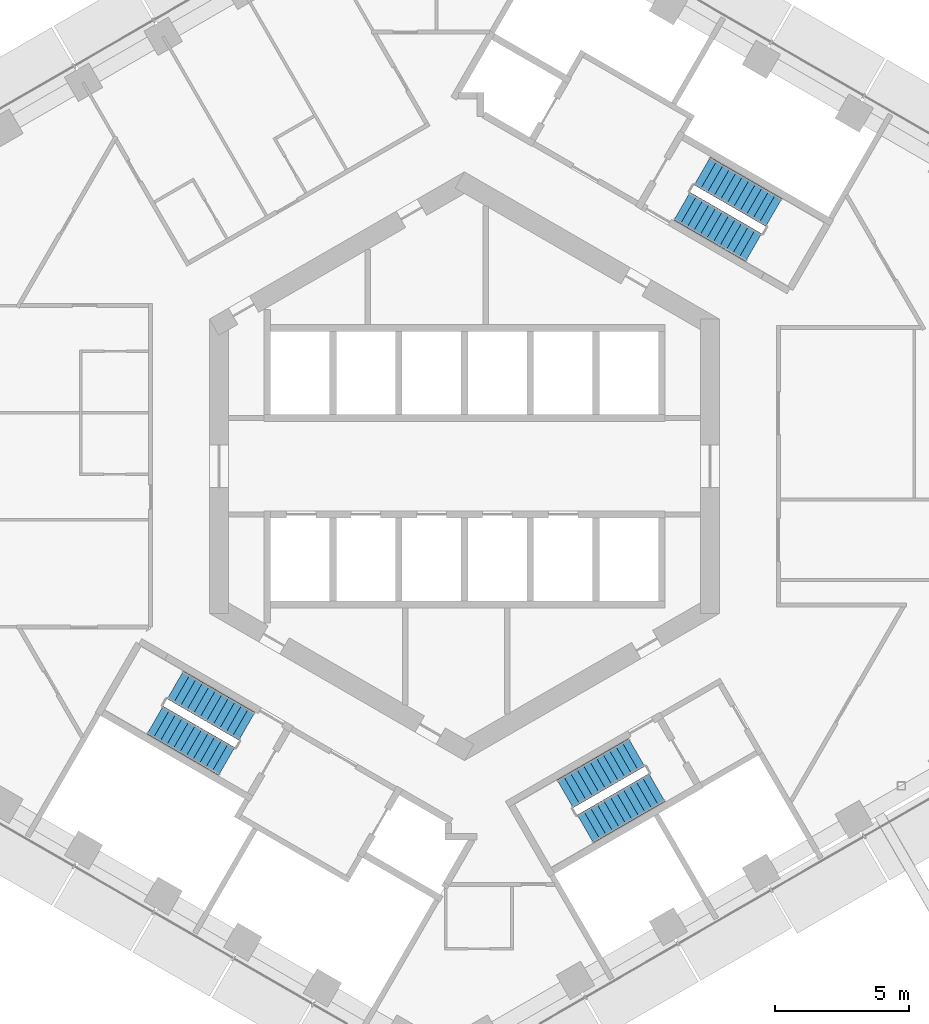
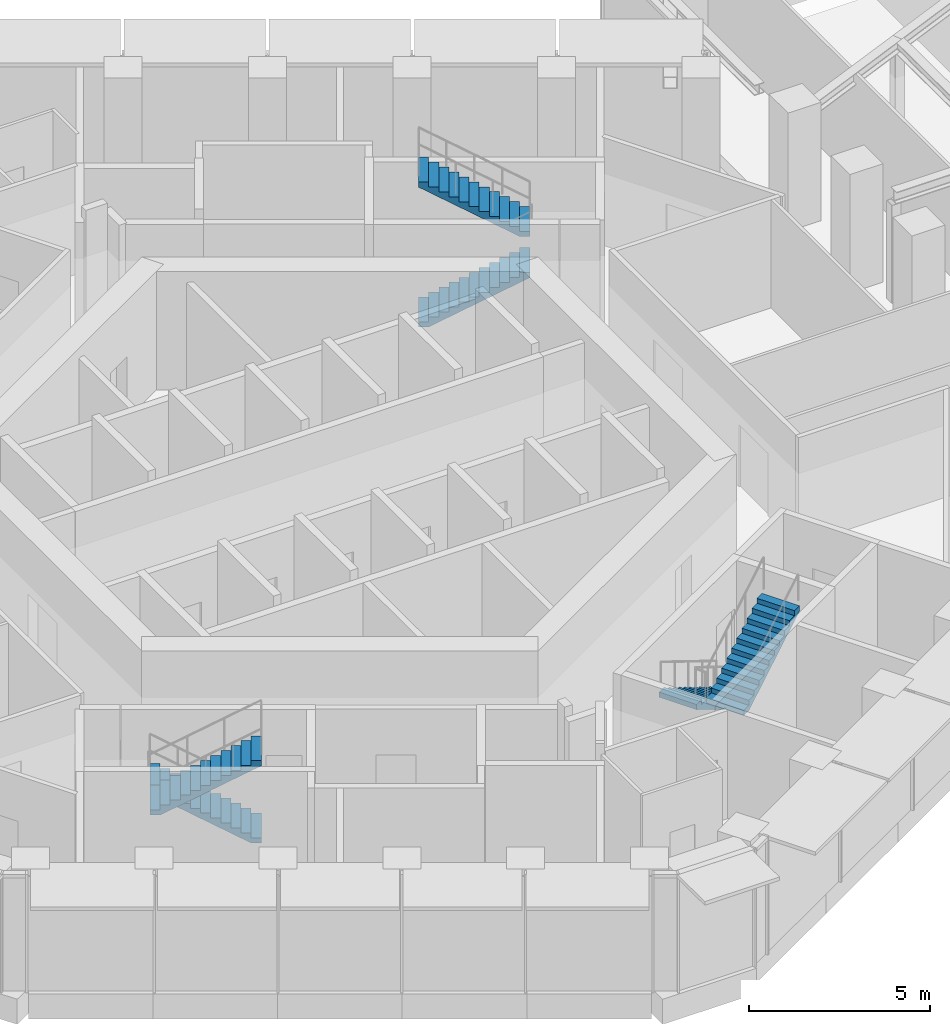
# One storey, part 22 of 24: 6 stair flights, 3 elements without a shape of their own.
"""IFC4 building model written with IfcOpenShell, lengths in metres."""

from ifc_helpers import new_model, si_unit, direction, frame, origin, place, context, subcontext, project, spatial, triangles, material, type_object, element, aggregate, save


model = new_model("IFC4")

# Units and contexts
model_context = context("Model", 3, precision=1e-05, world=origin(), true_north=direction((0.0, 1.0)))
body_context = subcontext(model_context, "Body", "Model", "MODEL_VIEW")
ifc_project = project(units=[si_unit("LENGTHUNIT", "METRE"), si_unit("AREAUNIT", "SQUARE_METRE"), si_unit("VOLUMEUNIT", "CUBIC_METRE"), si_unit("PLANEANGLEUNIT", "RADIAN"), si_unit("MASSUNIT", "GRAM", prefix="KILO")], contexts=[model_context])

# Site, building, storey
site_placement = place(None, origin())
site = spatial("IfcSite", under=ifc_project, at=site_placement, CompositionType="ELEMENT")
building_placement = place(site_placement, origin())
building = spatial("IfcBuilding", under=site, at=building_placement, Name="Ayvan Gate Tower", CompositionType="ELEMENT")
storey_placement = place(building_placement, frame((0.0, 0.0, 128.5)))
storey = spatial("IfcBuildingStorey", under=building, at=storey_placement, Name="L34", CompositionType="ELEMENT", Elevation=128.5)

# Stair, stair flights
ifc_material = material(Name="Concrete C40/50", Category="concrete")
stair_type = type_object("IfcStairType", Name="ST-EXIT", PredefinedType="HALF_TURN_STAIR", material=ifc_material)
stair_1_placement = place(storey_placement, origin())
stair_1 = element("IfcStair", 1, at=stair_1_placement, inside=storey, type_object=stair_type, Name="L34 Exit Stair S1", PredefinedType="HALF_TURN_STAIR")
stair_flight_type = type_object("IfcStairFlightType", Name="SFL-EXIT", PredefinedType="STRAIGHT", material=ifc_material)
stair_flight_1_placement = place(storey_placement, frame((8.106201171875, 9.690185546875, 0.0), z_axis=(0.0, 0.0, 1.0), x_axis=(0.866025403784, -0.5, 0.0)))
stair_flight_1 = element("IfcStairFlight", 2, at=stair_flight_1_placement, type_object=stair_flight_type, Name="STS1 flight 1", NumberOfRisers=12, NumberOfTreads=11, PredefinedType="STRAIGHT", RiserHeight=0.166666667, TreadLength=0.28, context=body_context, shape_type="Tessellation", body=[
    triangles([(0.293073, -0.599976, 0.0), (3.0805, -0.599976, 1.659182), (3.0805, -0.599976, 1.833333), (2.8, -0.599976, 1.833333), (2.8, -0.599976, 1.666667), (2.52, -0.599976, 1.666667), (2.52, -0.599976, 1.5), (2.24, -0.599976, 1.5), (2.24, -0.599976, 1.333333), (1.96, -0.599976, 1.333333), (1.96, -0.599976, 1.166667), (1.68, -0.599976, 1.166667), (1.68, -0.599976, 1.0), (1.4, -0.599976, 1.0), (1.4, -0.599976, 0.833333), (1.12, -0.599976, 0.833333), (1.12, -0.599976, 0.666667), (0.84, -0.599976, 0.666667), (0.84, -0.599976, 0.5), (0.56, -0.599976, 0.5), (0.56, -0.599976, 0.333333), (0.28, -0.599976, 0.333333), (0.28, -0.599976, 0.166667), (-0.0005, -0.599976, 0.166667), (-0.0005, -0.599976, 0.0), (0.293073, 0.0, 0.0), (3.0805, 0.0, 1.659182), (3.0805, 0.0, 1.833333), (2.8, 0.0, 1.833333), (2.8, 0.0, 1.666667), (2.52, 0.0, 1.666667), (2.52, 0.0, 1.5), (2.24, 0.0, 1.5), (2.24, 0.0, 1.333333), (1.96, 0.0, 1.333333), (1.96, 0.0, 1.166667), (1.68, 0.0, 1.166667), (1.68, 0.0, 1.0), (1.4, 0.0, 1.0), (1.4, 0.0, 0.833333), (1.12, 0.0, 0.833333), (1.12, 0.0, 0.666667), (0.84, 0.0, 0.666667), (0.84, 0.0, 0.5), (0.56, 0.0, 0.5), (0.56, 0.0, 0.333333), (0.28, 0.0, 0.333333), (0.28, 0.0, 0.166667), (-0.0005, 0.0, 0.166667), (-0.0005, 0.0, 0.0), (0.293073, 0.599976, 0.0), (3.0805, 0.599976, 1.659182), (3.0805, 0.599976, 1.833333), (2.8, 0.599976, 1.833333), (2.8, 0.599976, 1.666667), (2.52, 0.599976, 1.666667), (2.52, 0.599976, 1.5), (2.24, 0.599976, 1.5), (2.24, 0.599976, 1.333333), (1.96, 0.599976, 1.333333), (1.96, 0.599976, 1.166667), (1.68, 0.599976, 1.166667), (1.68, 0.599976, 1.0), (1.4, 0.599976, 1.0), (1.4, 0.599976, 0.833333), (1.12, 0.599976, 0.833333), (1.12, 0.599976, 0.666667), (0.84, 0.599976, 0.666667), (0.84, 0.599976, 0.5), (0.56, 0.599976, 0.5), (0.56, 0.599976, 0.333333), (0.28, 0.599976, 0.333333), (0.28, 0.599976, 0.166667), (-0.0005, 0.599976, 0.166667), (-0.0005, 0.599976, 0.0)], [[25, 1, 2], [75, 52, 51], [2, 3, 4], [52, 54, 53], [2, 4, 5], [52, 55, 54], [2, 5, 6], [52, 56, 55], [2, 6, 7], [52, 57, 56], [7, 8, 9], [57, 59, 58], [2, 7, 9], [52, 59, 57], [9, 10, 11], [59, 61, 60], [2, 9, 11], [52, 61, 59], [11, 12, 13], [61, 63, 62], [2, 11, 13], [52, 63, 61], [13, 14, 15], [63, 65, 64], [2, 13, 15], [52, 65, 63], [15, 16, 17], [65, 67, 66], [2, 15, 17], [52, 67, 65], [17, 18, 19], [67, 69, 68], [2, 17, 19], [52, 69, 67], [19, 20, 21], [69, 71, 70], [2, 19, 21], [52, 71, 69], [21, 22, 23], [71, 73, 72], [2, 21, 23], [52, 73, 71], [25, 2, 23], [75, 73, 52], [23, 24, 25], [73, 75, 74], [1, 26, 27], [1, 27, 2], [51, 27, 26], [51, 52, 27], [2, 27, 28], [2, 28, 3], [52, 28, 27], [52, 53, 28], [3, 28, 29], [3, 29, 4], [53, 29, 28], [53, 54, 29], [4, 29, 30], [4, 30, 5], [54, 30, 29], [54, 55, 30], [5, 30, 31], [5, 31, 6], [55, 31, 30], [55, 56, 31], [6, 31, 32], [6, 32, 7], [56, 32, 31], [56, 57, 32], [7, 32, 33], [7, 33, 8], [57, 33, 32], [57, 58, 33], [8, 33, 34], [8, 34, 9], [58, 34, 33], [58, 59, 34], [9, 34, 35], [9, 35, 10], [59, 35, 34], [59, 60, 35], [10, 35, 36], [10, 36, 11], [60, 36, 35], [60, 61, 36], [11, 36, 37], [11, 37, 12], [61, 37, 36], [61, 62, 37], [12, 37, 38], [12, 38, 13], [62, 38, 37], [62, 63, 38], [13, 38, 39], [13, 39, 14], [63, 39, 38], [63, 64, 39], [14, 39, 40], [14, 40, 15], [64, 40, 39], [64, 65, 40], [15, 40, 41], [15, 41, 16], [65, 41, 40], [65, 66, 41], [16, 41, 42], [16, 42, 17], [66, 42, 41], [66, 67, 42], [17, 42, 43], [17, 43, 18], [67, 43, 42], [67, 68, 43], [18, 43, 44], [18, 44, 19], [68, 44, 43], [68, 69, 44], [19, 44, 45], [19, 45, 20], [69, 45, 44], [69, 70, 45], [20, 45, 46], [20, 46, 21], [70, 46, 45], [70, 71, 46], [21, 46, 47], [21, 47, 22], [71, 47, 46], [71, 72, 47], [22, 47, 48], [22, 48, 23], [72, 48, 47], [72, 73, 48], [23, 48, 49], [23, 49, 24], [73, 49, 48], [73, 74, 49], [24, 49, 50], [24, 50, 25], [74, 50, 49], [74, 75, 50], [25, 50, 26], [25, 26, 1], [75, 26, 50], [75, 51, 26]], closed=True),
])
stair_flight_2_placement = place(storey_placement, frame((11.528564453125, 9.457763671875, 2.0), z_axis=(0.0, 0.0, 1.0), x_axis=(-0.866025403784, 0.5, 0.0)))
stair_flight_2 = element("IfcStairFlight", 3, at=stair_flight_2_placement, type_object=stair_flight_type, Name="STS1 flight 2", NumberOfRisers=12, NumberOfTreads=11, PredefinedType="STRAIGHT", RiserHeight=0.166666667, TreadLength=0.28, context=body_context, shape_type="Tessellation", body=[
    triangles([(0.293073, -0.599976, 0.0), (3.0805, -0.599976, 1.659182), (3.0805, -0.599976, 1.833333), (2.8, -0.599976, 1.833333), (2.8, -0.599976, 1.666667), (2.52, -0.599976, 1.666667), (2.52, -0.599976, 1.5), (2.24, -0.599976, 1.5), (2.24, -0.599976, 1.333333), (1.96, -0.599976, 1.333333), (1.96, -0.599976, 1.166667), (1.68, -0.599976, 1.166667), (1.68, -0.599976, 1.0), (1.4, -0.599976, 1.0), (1.4, -0.599976, 0.833333), (1.12, -0.599976, 0.833333), (1.12, -0.599976, 0.666667), (0.84, -0.599976, 0.666667), (0.84, -0.599976, 0.5), (0.56, -0.599976, 0.5), (0.56, -0.599976, 0.333333), (0.28, -0.599976, 0.333333), (0.28, -0.599976, 0.166667), (-0.0005, -0.599976, 0.166667), (-0.0005, -0.599976, 0.0), (0.293073, 0.0, 0.0), (3.0805, 0.0, 1.659182), (3.0805, 0.0, 1.833333), (2.8, 0.0, 1.833333), (2.8, 0.0, 1.666667), (2.52, 0.0, 1.666667), (2.52, 0.0, 1.5), (2.24, 0.0, 1.5), (2.24, 0.0, 1.333333), (1.96, 0.0, 1.333333), (1.96, 0.0, 1.166667), (1.68, 0.0, 1.166667), (1.68, 0.0, 1.0), (1.4, 0.0, 1.0), (1.4, 0.0, 0.833333), (1.12, 0.0, 0.833333), (1.12, 0.0, 0.666667), (0.84, 0.0, 0.666667), (0.84, 0.0, 0.5), (0.56, 0.0, 0.5), (0.56, 0.0, 0.333333), (0.28, 0.0, 0.333333), (0.28, 0.0, 0.166667), (-0.0005, 0.0, 0.166667), (-0.0005, 0.0, 0.0), (0.293073, 0.599976, 0.0), (3.0805, 0.599976, 1.659182), (3.0805, 0.599976, 1.833333), (2.8, 0.599976, 1.833333), (2.8, 0.599976, 1.666667), (2.52, 0.599976, 1.666667), (2.52, 0.599976, 1.5), (2.24, 0.599976, 1.5), (2.24, 0.599976, 1.333333), (1.96, 0.599976, 1.333333), (1.96, 0.599976, 1.166667), (1.68, 0.599976, 1.166667), (1.68, 0.599976, 1.0), (1.4, 0.599976, 1.0), (1.4, 0.599976, 0.833333), (1.12, 0.599976, 0.833333), (1.12, 0.599976, 0.666667), (0.84, 0.599976, 0.666667), (0.84, 0.599976, 0.5), (0.56, 0.599976, 0.5), (0.56, 0.599976, 0.333333), (0.28, 0.599976, 0.333333), (0.28, 0.599976, 0.166667), (-0.0005, 0.599976, 0.166667), (-0.0005, 0.599976, 0.0)], [[25, 1, 2], [75, 52, 51], [2, 3, 4], [52, 54, 53], [2, 4, 5], [52, 55, 54], [2, 5, 6], [52, 56, 55], [2, 6, 7], [52, 57, 56], [7, 8, 9], [57, 59, 58], [2, 7, 9], [52, 59, 57], [9, 10, 11], [59, 61, 60], [2, 9, 11], [52, 61, 59], [11, 12, 13], [61, 63, 62], [2, 11, 13], [52, 63, 61], [13, 14, 15], [63, 65, 64], [2, 13, 15], [52, 65, 63], [15, 16, 17], [65, 67, 66], [2, 15, 17], [52, 67, 65], [17, 18, 19], [67, 69, 68], [2, 17, 19], [52, 69, 67], [19, 20, 21], [69, 71, 70], [2, 19, 21], [52, 71, 69], [21, 22, 23], [71, 73, 72], [2, 21, 23], [52, 73, 71], [25, 2, 23], [75, 73, 52], [23, 24, 25], [73, 75, 74], [1, 26, 27], [1, 27, 2], [51, 27, 26], [51, 52, 27], [2, 27, 28], [2, 28, 3], [52, 28, 27], [52, 53, 28], [3, 28, 29], [3, 29, 4], [53, 29, 28], [53, 54, 29], [4, 29, 30], [4, 30, 5], [54, 30, 29], [54, 55, 30], [5, 30, 31], [5, 31, 6], [55, 31, 30], [55, 56, 31], [6, 31, 32], [6, 32, 7], [56, 32, 31], [56, 57, 32], [7, 32, 33], [7, 33, 8], [57, 33, 32], [57, 58, 33], [8, 33, 34], [8, 34, 9], [58, 34, 33], [58, 59, 34], [9, 34, 35], [9, 35, 10], [59, 35, 34], [59, 60, 35], [10, 35, 36], [10, 36, 11], [60, 36, 35], [60, 61, 36], [11, 36, 37], [11, 37, 12], [61, 37, 36], [61, 62, 37], [12, 37, 38], [12, 38, 13], [62, 38, 37], [62, 63, 38], [13, 38, 39], [13, 39, 14], [63, 39, 38], [63, 64, 39], [14, 39, 40], [14, 40, 15], [64, 40, 39], [64, 65, 40], [15, 40, 41], [15, 41, 16], [65, 41, 40], [65, 66, 41], [16, 41, 42], [16, 42, 17], [66, 42, 41], [66, 67, 42], [17, 42, 43], [17, 43, 18], [67, 43, 42], [67, 68, 43], [18, 43, 44], [18, 44, 19], [68, 44, 43], [68, 69, 44], [19, 44, 45], [19, 45, 20], [69, 45, 44], [69, 70, 45], [20, 45, 46], [20, 46, 21], [70, 46, 45], [70, 71, 46], [21, 46, 47], [21, 47, 22], [71, 47, 46], [71, 72, 47], [22, 47, 48], [22, 48, 23], [72, 48, 47], [72, 73, 48], [23, 48, 49], [23, 49, 24], [73, 49, 48], [73, 74, 49], [24, 49, 50], [24, 50, 25], [74, 50, 49], [74, 75, 50], [25, 50, 26], [25, 26, 1], [75, 26, 50], [75, 51, 26]], closed=True),
])
aggregate(stair_1, [stair_flight_1, stair_flight_2])

stair_2_placement = place(storey_placement, origin())
stair_2 = element("IfcStair", 4, at=stair_2_placement, inside=storey, type_object=stair_type, Name="L34 Exit Stair S2", PredefinedType="HALF_TURN_STAIR")
stair_flight_3_placement = place(storey_placement, frame((-8.106201171875, -9.690185546875, 0.0), z_axis=(0.0, 0.0, 1.0), x_axis=(-0.866025403784, 0.5, 0.0)))
stair_flight_3 = element("IfcStairFlight", 5, at=stair_flight_3_placement, type_object=stair_flight_type, Name="STS2 flight 1", NumberOfRisers=12, NumberOfTreads=11, PredefinedType="STRAIGHT", RiserHeight=0.166666667, TreadLength=0.28, context=body_context, shape_type="Tessellation", body=[
    triangles([(0.293073, -0.599976, 0.0), (3.0805, -0.599976, 1.659182), (3.0805, -0.599976, 1.833333), (2.8, -0.599976, 1.833333), (2.8, -0.599976, 1.666667), (2.52, -0.599976, 1.666667), (2.52, -0.599976, 1.5), (2.24, -0.599976, 1.5), (2.24, -0.599976, 1.333333), (1.96, -0.599976, 1.333333), (1.96, -0.599976, 1.166667), (1.68, -0.599976, 1.166667), (1.68, -0.599976, 1.0), (1.4, -0.599976, 1.0), (1.4, -0.599976, 0.833333), (1.12, -0.599976, 0.833333), (1.12, -0.599976, 0.666667), (0.84, -0.599976, 0.666667), (0.84, -0.599976, 0.5), (0.56, -0.599976, 0.5), (0.56, -0.599976, 0.333333), (0.28, -0.599976, 0.333333), (0.28, -0.599976, 0.166667), (-0.0005, -0.599976, 0.166667), (-0.0005, -0.599976, 0.0), (0.293073, 0.0, 0.0), (3.0805, 0.0, 1.659182), (3.0805, 0.0, 1.833333), (2.8, 0.0, 1.833333), (2.8, 0.0, 1.666667), (2.52, 0.0, 1.666667), (2.52, 0.0, 1.5), (2.24, 0.0, 1.5), (2.24, 0.0, 1.333333), (1.96, 0.0, 1.333333), (1.96, 0.0, 1.166667), (1.68, 0.0, 1.166667), (1.68, 0.0, 1.0), (1.4, 0.0, 1.0), (1.4, 0.0, 0.833333), (1.12, 0.0, 0.833333), (1.12, 0.0, 0.666667), (0.84, 0.0, 0.666667), (0.84, 0.0, 0.5), (0.56, 0.0, 0.5), (0.56, 0.0, 0.333333), (0.28, 0.0, 0.333333), (0.28, 0.0, 0.166667), (-0.0005, 0.0, 0.166667), (-0.0005, 0.0, 0.0), (0.293073, 0.599976, 0.0), (3.0805, 0.599976, 1.659182), (3.0805, 0.599976, 1.833333), (2.8, 0.599976, 1.833333), (2.8, 0.599976, 1.666667), (2.52, 0.599976, 1.666667), (2.52, 0.599976, 1.5), (2.24, 0.599976, 1.5), (2.24, 0.599976, 1.333333), (1.96, 0.599976, 1.333333), (1.96, 0.599976, 1.166667), (1.68, 0.599976, 1.166667), (1.68, 0.599976, 1.0), (1.4, 0.599976, 1.0), (1.4, 0.599976, 0.833333), (1.12, 0.599976, 0.833333), (1.12, 0.599976, 0.666667), (0.84, 0.599976, 0.666667), (0.84, 0.599976, 0.5), (0.56, 0.599976, 0.5), (0.56, 0.599976, 0.333333), (0.28, 0.599976, 0.333333), (0.28, 0.599976, 0.166667), (-0.0005, 0.599976, 0.166667), (-0.0005, 0.599976, 0.0)], [[25, 1, 2], [75, 52, 51], [2, 3, 4], [52, 54, 53], [2, 4, 5], [52, 55, 54], [2, 5, 6], [52, 56, 55], [2, 6, 7], [52, 57, 56], [7, 8, 9], [57, 59, 58], [2, 7, 9], [52, 59, 57], [9, 10, 11], [59, 61, 60], [2, 9, 11], [52, 61, 59], [11, 12, 13], [61, 63, 62], [2, 11, 13], [52, 63, 61], [13, 14, 15], [63, 65, 64], [2, 13, 15], [52, 65, 63], [15, 16, 17], [65, 67, 66], [2, 15, 17], [52, 67, 65], [17, 18, 19], [67, 69, 68], [2, 17, 19], [52, 69, 67], [19, 20, 21], [69, 71, 70], [2, 19, 21], [52, 71, 69], [21, 22, 23], [71, 73, 72], [2, 21, 23], [52, 73, 71], [25, 2, 23], [75, 73, 52], [23, 24, 25], [73, 75, 74], [1, 26, 27], [1, 27, 2], [51, 27, 26], [51, 52, 27], [2, 27, 28], [2, 28, 3], [52, 28, 27], [52, 53, 28], [3, 28, 29], [3, 29, 4], [53, 29, 28], [53, 54, 29], [4, 29, 30], [4, 30, 5], [54, 30, 29], [54, 55, 30], [5, 30, 31], [5, 31, 6], [55, 31, 30], [55, 56, 31], [6, 31, 32], [6, 32, 7], [56, 32, 31], [56, 57, 32], [7, 32, 33], [7, 33, 8], [57, 33, 32], [57, 58, 33], [8, 33, 34], [8, 34, 9], [58, 34, 33], [58, 59, 34], [9, 34, 35], [9, 35, 10], [59, 35, 34], [59, 60, 35], [10, 35, 36], [10, 36, 11], [60, 36, 35], [60, 61, 36], [11, 36, 37], [11, 37, 12], [61, 37, 36], [61, 62, 37], [12, 37, 38], [12, 38, 13], [62, 38, 37], [62, 63, 38], [13, 38, 39], [13, 39, 14], [63, 39, 38], [63, 64, 39], [14, 39, 40], [14, 40, 15], [64, 40, 39], [64, 65, 40], [15, 40, 41], [15, 41, 16], [65, 41, 40], [65, 66, 41], [16, 41, 42], [16, 42, 17], [66, 42, 41], [66, 67, 42], [17, 42, 43], [17, 43, 18], [67, 43, 42], [67, 68, 43], [18, 43, 44], [18, 44, 19], [68, 44, 43], [68, 69, 44], [19, 44, 45], [19, 45, 20], [69, 45, 44], [69, 70, 45], [20, 45, 46], [20, 46, 21], [70, 46, 45], [70, 71, 46], [21, 46, 47], [21, 47, 22], [71, 47, 46], [71, 72, 47], [22, 47, 48], [22, 48, 23], [72, 48, 47], [72, 73, 48], [23, 48, 49], [23, 49, 24], [73, 49, 48], [73, 74, 49], [24, 49, 50], [24, 50, 25], [74, 50, 49], [74, 75, 50], [25, 50, 26], [25, 26, 1], [75, 26, 50], [75, 51, 26]], closed=True),
])
stair_flight_4_placement = place(storey_placement, frame((-11.528564453125, -9.457763671875, 2.0), z_axis=(0.0, 0.0, 1.0), x_axis=(0.866025403784, -0.5, 0.0)))
stair_flight_4 = element("IfcStairFlight", 6, at=stair_flight_4_placement, type_object=stair_flight_type, Name="STS2 flight 2", NumberOfRisers=12, NumberOfTreads=11, PredefinedType="STRAIGHT", RiserHeight=0.166666667, TreadLength=0.28, context=body_context, shape_type="Tessellation", body=[
    triangles([(0.293073, -0.599976, 0.0), (3.0805, -0.599976, 1.659182), (3.0805, -0.599976, 1.833333), (2.8, -0.599976, 1.833333), (2.8, -0.599976, 1.666667), (2.52, -0.599976, 1.666667), (2.52, -0.599976, 1.5), (2.24, -0.599976, 1.5), (2.24, -0.599976, 1.333333), (1.96, -0.599976, 1.333333), (1.96, -0.599976, 1.166667), (1.68, -0.599976, 1.166667), (1.68, -0.599976, 1.0), (1.4, -0.599976, 1.0), (1.4, -0.599976, 0.833333), (1.12, -0.599976, 0.833333), (1.12, -0.599976, 0.666667), (0.84, -0.599976, 0.666667), (0.84, -0.599976, 0.5), (0.56, -0.599976, 0.5), (0.56, -0.599976, 0.333333), (0.28, -0.599976, 0.333333), (0.28, -0.599976, 0.166667), (-0.0005, -0.599976, 0.166667), (-0.0005, -0.599976, 0.0), (0.293073, 0.0, 0.0), (3.0805, 0.0, 1.659182), (3.0805, 0.0, 1.833333), (2.8, 0.0, 1.833333), (2.8, 0.0, 1.666667), (2.52, 0.0, 1.666667), (2.52, 0.0, 1.5), (2.24, 0.0, 1.5), (2.24, 0.0, 1.333333), (1.96, 0.0, 1.333333), (1.96, 0.0, 1.166667), (1.68, 0.0, 1.166667), (1.68, 0.0, 1.0), (1.4, 0.0, 1.0), (1.4, 0.0, 0.833333), (1.12, 0.0, 0.833333), (1.12, 0.0, 0.666667), (0.84, 0.0, 0.666667), (0.84, 0.0, 0.5), (0.56, 0.0, 0.5), (0.56, 0.0, 0.333333), (0.28, 0.0, 0.333333), (0.28, 0.0, 0.166667), (-0.0005, 0.0, 0.166667), (-0.0005, 0.0, 0.0), (0.293073, 0.599976, 0.0), (3.0805, 0.599976, 1.659182), (3.0805, 0.599976, 1.833333), (2.8, 0.599976, 1.833333), (2.8, 0.599976, 1.666667), (2.52, 0.599976, 1.666667), (2.52, 0.599976, 1.5), (2.24, 0.599976, 1.5), (2.24, 0.599976, 1.333333), (1.96, 0.599976, 1.333333), (1.96, 0.599976, 1.166667), (1.68, 0.599976, 1.166667), (1.68, 0.599976, 1.0), (1.4, 0.599976, 1.0), (1.4, 0.599976, 0.833333), (1.12, 0.599976, 0.833333), (1.12, 0.599976, 0.666667), (0.84, 0.599976, 0.666667), (0.84, 0.599976, 0.5), (0.56, 0.599976, 0.5), (0.56, 0.599976, 0.333333), (0.28, 0.599976, 0.333333), (0.28, 0.599976, 0.166667), (-0.0005, 0.599976, 0.166667), (-0.0005, 0.599976, 0.0)], [[25, 1, 2], [75, 52, 51], [2, 3, 4], [52, 54, 53], [2, 4, 5], [52, 55, 54], [2, 5, 6], [52, 56, 55], [2, 6, 7], [52, 57, 56], [7, 8, 9], [57, 59, 58], [2, 7, 9], [52, 59, 57], [9, 10, 11], [59, 61, 60], [2, 9, 11], [52, 61, 59], [11, 12, 13], [61, 63, 62], [2, 11, 13], [52, 63, 61], [13, 14, 15], [63, 65, 64], [2, 13, 15], [52, 65, 63], [15, 16, 17], [65, 67, 66], [2, 15, 17], [52, 67, 65], [17, 18, 19], [67, 69, 68], [2, 17, 19], [52, 69, 67], [19, 20, 21], [69, 71, 70], [2, 19, 21], [52, 71, 69], [21, 22, 23], [71, 73, 72], [2, 21, 23], [52, 73, 71], [25, 2, 23], [75, 73, 52], [23, 24, 25], [73, 75, 74], [1, 26, 27], [1, 27, 2], [51, 27, 26], [51, 52, 27], [2, 27, 28], [2, 28, 3], [52, 28, 27], [52, 53, 28], [3, 28, 29], [3, 29, 4], [53, 29, 28], [53, 54, 29], [4, 29, 30], [4, 30, 5], [54, 30, 29], [54, 55, 30], [5, 30, 31], [5, 31, 6], [55, 31, 30], [55, 56, 31], [6, 31, 32], [6, 32, 7], [56, 32, 31], [56, 57, 32], [7, 32, 33], [7, 33, 8], [57, 33, 32], [57, 58, 33], [8, 33, 34], [8, 34, 9], [58, 34, 33], [58, 59, 34], [9, 34, 35], [9, 35, 10], [59, 35, 34], [59, 60, 35], [10, 35, 36], [10, 36, 11], [60, 36, 35], [60, 61, 36], [11, 36, 37], [11, 37, 12], [61, 37, 36], [61, 62, 37], [12, 37, 38], [12, 38, 13], [62, 38, 37], [62, 63, 38], [13, 38, 39], [13, 39, 14], [63, 39, 38], [63, 64, 39], [14, 39, 40], [14, 40, 15], [64, 40, 39], [64, 65, 40], [15, 40, 41], [15, 41, 16], [65, 41, 40], [65, 66, 41], [16, 41, 42], [16, 42, 17], [66, 42, 41], [66, 67, 42], [17, 42, 43], [17, 43, 18], [67, 43, 42], [67, 68, 43], [18, 43, 44], [18, 44, 19], [68, 44, 43], [68, 69, 44], [19, 44, 45], [19, 45, 20], [69, 45, 44], [69, 70, 45], [20, 45, 46], [20, 46, 21], [70, 46, 45], [70, 71, 46], [21, 46, 47], [21, 47, 22], [71, 47, 46], [71, 72, 47], [22, 47, 48], [22, 48, 23], [72, 48, 47], [72, 73, 48], [23, 48, 49], [23, 49, 24], [73, 49, 48], [73, 74, 49], [24, 49, 50], [24, 50, 25], [74, 50, 49], [74, 75, 50], [25, 50, 26], [25, 26, 1], [75, 26, 50], [75, 51, 26]], closed=True),
])
aggregate(stair_2, [stair_flight_3, stair_flight_4])

stair_3_placement = place(storey_placement, origin())
stair_3 = element("IfcStair", 7, at=stair_3_placement, inside=storey, type_object=stair_type, Name="L34 Exit Stair S3", PredefinedType="HALF_TURN_STAIR")
stair_flight_5_placement = place(storey_placement, frame((6.417236328125, -10.665283203125, 0.0), z_axis=(0.0, 0.0, 1.0), x_axis=(-0.866025403784, -0.5, 0.0)))
stair_flight_5 = element("IfcStairFlight", 8, at=stair_flight_5_placement, type_object=stair_flight_type, Name="STS3 flight 1", NumberOfRisers=12, NumberOfTreads=11, PredefinedType="STRAIGHT", RiserHeight=0.166666667, TreadLength=0.28, context=body_context, shape_type="Tessellation", body=[
    triangles([(0.293073, -0.599976, 0.0), (3.0805, -0.599976, 1.659182), (3.0805, -0.599976, 1.833333), (2.8, -0.599976, 1.833333), (2.8, -0.599976, 1.666667), (2.52, -0.599976, 1.666667), (2.52, -0.599976, 1.5), (2.24, -0.599976, 1.5), (2.24, -0.599976, 1.333333), (1.96, -0.599976, 1.333333), (1.96, -0.599976, 1.166667), (1.68, -0.599976, 1.166667), (1.68, -0.599976, 1.0), (1.4, -0.599976, 1.0), (1.4, -0.599976, 0.833333), (1.12, -0.599976, 0.833333), (1.12, -0.599976, 0.666667), (0.84, -0.599976, 0.666667), (0.84, -0.599976, 0.5), (0.56, -0.599976, 0.5), (0.56, -0.599976, 0.333333), (0.28, -0.599976, 0.333333), (0.28, -0.599976, 0.166667), (-0.0005, -0.599976, 0.166667), (-0.0005, -0.599976, 0.0), (0.293073, 0.0, 0.0), (3.0805, 0.0, 1.659182), (3.0805, 0.0, 1.833333), (2.8, 0.0, 1.833333), (2.8, 0.0, 1.666667), (2.52, 0.0, 1.666667), (2.52, 0.0, 1.5), (2.24, 0.0, 1.5), (2.24, 0.0, 1.333333), (1.96, 0.0, 1.333333), (1.96, 0.0, 1.166667), (1.68, 0.0, 1.166667), (1.68, 0.0, 1.0), (1.4, 0.0, 1.0), (1.4, 0.0, 0.833333), (1.12, 0.0, 0.833333), (1.12, 0.0, 0.666667), (0.84, 0.0, 0.666667), (0.84, 0.0, 0.5), (0.56, 0.0, 0.5), (0.56, 0.0, 0.333333), (0.28, 0.0, 0.333333), (0.28, 0.0, 0.166667), (-0.0005, 0.0, 0.166667), (-0.0005, 0.0, 0.0), (0.293073, 0.599976, 0.0), (3.0805, 0.599976, 1.659182), (3.0805, 0.599976, 1.833333), (2.8, 0.599976, 1.833333), (2.8, 0.599976, 1.666667), (2.52, 0.599976, 1.666667), (2.52, 0.599976, 1.5), (2.24, 0.599976, 1.5), (2.24, 0.599976, 1.333333), (1.96, 0.599976, 1.333333), (1.96, 0.599976, 1.166667), (1.68, 0.599976, 1.166667), (1.68, 0.599976, 1.0), (1.4, 0.599976, 1.0), (1.4, 0.599976, 0.833333), (1.12, 0.599976, 0.833333), (1.12, 0.599976, 0.666667), (0.84, 0.599976, 0.666667), (0.84, 0.599976, 0.5), (0.56, 0.599976, 0.5), (0.56, 0.599976, 0.333333), (0.28, 0.599976, 0.333333), (0.28, 0.599976, 0.166667), (-0.0005, 0.599976, 0.166667), (-0.0005, 0.599976, 0.0)], [[25, 1, 2], [75, 52, 51], [2, 3, 4], [52, 54, 53], [2, 4, 5], [52, 55, 54], [2, 5, 6], [52, 56, 55], [2, 6, 7], [52, 57, 56], [7, 8, 9], [57, 59, 58], [2, 7, 9], [52, 59, 57], [9, 10, 11], [59, 61, 60], [2, 9, 11], [52, 61, 59], [11, 12, 13], [61, 63, 62], [2, 11, 13], [52, 63, 61], [13, 14, 15], [63, 65, 64], [2, 13, 15], [52, 65, 63], [15, 16, 17], [65, 67, 66], [2, 15, 17], [52, 67, 65], [17, 18, 19], [67, 69, 68], [2, 17, 19], [52, 69, 67], [19, 20, 21], [69, 71, 70], [2, 19, 21], [52, 71, 69], [21, 22, 23], [71, 73, 72], [2, 21, 23], [52, 73, 71], [25, 2, 23], [75, 73, 52], [23, 24, 25], [73, 75, 74], [1, 26, 27], [1, 27, 2], [51, 27, 26], [51, 52, 27], [2, 27, 28], [2, 28, 3], [52, 28, 27], [52, 53, 28], [3, 28, 29], [3, 29, 4], [53, 29, 28], [53, 54, 29], [4, 29, 30], [4, 30, 5], [54, 30, 29], [54, 55, 30], [5, 30, 31], [5, 31, 6], [55, 31, 30], [55, 56, 31], [6, 31, 32], [6, 32, 7], [56, 32, 31], [56, 57, 32], [7, 32, 33], [7, 33, 8], [57, 33, 32], [57, 58, 33], [8, 33, 34], [8, 34, 9], [58, 34, 33], [58, 59, 34], [9, 34, 35], [9, 35, 10], [59, 35, 34], [59, 60, 35], [10, 35, 36], [10, 36, 11], [60, 36, 35], [60, 61, 36], [11, 36, 37], [11, 37, 12], [61, 37, 36], [61, 62, 37], [12, 37, 38], [12, 38, 13], [62, 38, 37], [62, 63, 38], [13, 38, 39], [13, 39, 14], [63, 39, 38], [63, 64, 39], [14, 39, 40], [14, 40, 15], [64, 40, 39], [64, 65, 40], [15, 40, 41], [15, 41, 16], [65, 41, 40], [65, 66, 41], [16, 41, 42], [16, 42, 17], [66, 42, 41], [66, 67, 42], [17, 42, 43], [17, 43, 18], [67, 43, 42], [67, 68, 43], [18, 43, 44], [18, 44, 19], [68, 44, 43], [68, 69, 44], [19, 44, 45], [19, 45, 20], [69, 45, 44], [69, 70, 45], [20, 45, 46], [20, 46, 21], [70, 46, 45], [70, 71, 46], [21, 46, 47], [21, 47, 22], [71, 47, 46], [71, 72, 47], [22, 47, 48], [22, 48, 23], [72, 48, 47], [72, 73, 48], [23, 48, 49], [23, 49, 24], [73, 49, 48], [73, 74, 49], [24, 49, 50], [24, 50, 25], [74, 50, 49], [74, 75, 50], [25, 50, 26], [25, 26, 1], [75, 26, 50], [75, 51, 26]], closed=True),
])
stair_flight_6_placement = place(storey_placement, frame((4.5048828125, -13.512939453125, 2.0), z_axis=(0.0, 0.0, 1.0), x_axis=(0.866025403784, 0.5, 0.0)))
stair_flight_6 = element("IfcStairFlight", 9, at=stair_flight_6_placement, type_object=stair_flight_type, Name="STS3 flight 2", NumberOfRisers=12, NumberOfTreads=11, PredefinedType="STRAIGHT", RiserHeight=0.166666667, TreadLength=0.28, context=body_context, shape_type="Tessellation", body=[
    triangles([(0.293073, -0.599976, 0.0), (3.0805, -0.599976, 1.659182), (3.0805, -0.599976, 1.833333), (2.8, -0.599976, 1.833333), (2.8, -0.599976, 1.666667), (2.52, -0.599976, 1.666667), (2.52, -0.599976, 1.5), (2.24, -0.599976, 1.5), (2.24, -0.599976, 1.333333), (1.96, -0.599976, 1.333333), (1.96, -0.599976, 1.166667), (1.68, -0.599976, 1.166667), (1.68, -0.599976, 1.0), (1.4, -0.599976, 1.0), (1.4, -0.599976, 0.833333), (1.12, -0.599976, 0.833333), (1.12, -0.599976, 0.666667), (0.84, -0.599976, 0.666667), (0.84, -0.599976, 0.5), (0.56, -0.599976, 0.5), (0.56, -0.599976, 0.333333), (0.28, -0.599976, 0.333333), (0.28, -0.599976, 0.166667), (-0.0005, -0.599976, 0.166667), (-0.0005, -0.599976, 0.0), (0.293073, 0.0, 0.0), (3.0805, 0.0, 1.659182), (3.0805, 0.0, 1.833333), (2.8, 0.0, 1.833333), (2.8, 0.0, 1.666667), (2.52, 0.0, 1.666667), (2.52, 0.0, 1.5), (2.24, 0.0, 1.5), (2.24, 0.0, 1.333333), (1.96, 0.0, 1.333333), (1.96, 0.0, 1.166667), (1.68, 0.0, 1.166667), (1.68, 0.0, 1.0), (1.4, 0.0, 1.0), (1.4, 0.0, 0.833333), (1.12, 0.0, 0.833333), (1.12, 0.0, 0.666667), (0.84, 0.0, 0.666667), (0.84, 0.0, 0.5), (0.56, 0.0, 0.5), (0.56, 0.0, 0.333333), (0.28, 0.0, 0.333333), (0.28, 0.0, 0.166667), (-0.0005, 0.0, 0.166667), (-0.0005, 0.0, 0.0), (0.293073, 0.599976, 0.0), (3.0805, 0.599976, 1.659182), (3.0805, 0.599976, 1.833333), (2.8, 0.599976, 1.833333), (2.8, 0.599976, 1.666667), (2.52, 0.599976, 1.666667), (2.52, 0.599976, 1.5), (2.24, 0.599976, 1.5), (2.24, 0.599976, 1.333333), (1.96, 0.599976, 1.333333), (1.96, 0.599976, 1.166667), (1.68, 0.599976, 1.166667), (1.68, 0.599976, 1.0), (1.4, 0.599976, 1.0), (1.4, 0.599976, 0.833333), (1.12, 0.599976, 0.833333), (1.12, 0.599976, 0.666667), (0.84, 0.599976, 0.666667), (0.84, 0.599976, 0.5), (0.56, 0.599976, 0.5), (0.56, 0.599976, 0.333333), (0.28, 0.599976, 0.333333), (0.28, 0.599976, 0.166667), (-0.0005, 0.599976, 0.166667), (-0.0005, 0.599976, 0.0)], [[25, 1, 2], [75, 52, 51], [2, 3, 4], [52, 54, 53], [2, 4, 5], [52, 55, 54], [2, 5, 6], [52, 56, 55], [2, 6, 7], [52, 57, 56], [7, 8, 9], [57, 59, 58], [2, 7, 9], [52, 59, 57], [9, 10, 11], [59, 61, 60], [2, 9, 11], [52, 61, 59], [11, 12, 13], [61, 63, 62], [2, 11, 13], [52, 63, 61], [13, 14, 15], [63, 65, 64], [2, 13, 15], [52, 65, 63], [15, 16, 17], [65, 67, 66], [2, 15, 17], [52, 67, 65], [17, 18, 19], [67, 69, 68], [2, 17, 19], [52, 69, 67], [19, 20, 21], [69, 71, 70], [2, 19, 21], [52, 71, 69], [21, 22, 23], [71, 73, 72], [2, 21, 23], [52, 73, 71], [25, 2, 23], [75, 73, 52], [23, 24, 25], [73, 75, 74], [1, 26, 27], [1, 27, 2], [51, 27, 26], [51, 52, 27], [2, 27, 28], [2, 28, 3], [52, 28, 27], [52, 53, 28], [3, 28, 29], [3, 29, 4], [53, 29, 28], [53, 54, 29], [4, 29, 30], [4, 30, 5], [54, 30, 29], [54, 55, 30], [5, 30, 31], [5, 31, 6], [55, 31, 30], [55, 56, 31], [6, 31, 32], [6, 32, 7], [56, 32, 31], [56, 57, 32], [7, 32, 33], [7, 33, 8], [57, 33, 32], [57, 58, 33], [8, 33, 34], [8, 34, 9], [58, 34, 33], [58, 59, 34], [9, 34, 35], [9, 35, 10], [59, 35, 34], [59, 60, 35], [10, 35, 36], [10, 36, 11], [60, 36, 35], [60, 61, 36], [11, 36, 37], [11, 37, 12], [61, 37, 36], [61, 62, 37], [12, 37, 38], [12, 38, 13], [62, 38, 37], [62, 63, 38], [13, 38, 39], [13, 39, 14], [63, 39, 38], [63, 64, 39], [14, 39, 40], [14, 40, 15], [64, 40, 39], [64, 65, 40], [15, 40, 41], [15, 41, 16], [65, 41, 40], [65, 66, 41], [16, 41, 42], [16, 42, 17], [66, 42, 41], [66, 67, 42], [17, 42, 43], [17, 43, 18], [67, 43, 42], [67, 68, 43], [18, 43, 44], [18, 44, 19], [68, 44, 43], [68, 69, 44], [19, 44, 45], [19, 45, 20], [69, 45, 44], [69, 70, 45], [20, 45, 46], [20, 46, 21], [70, 46, 45], [70, 71, 46], [21, 46, 47], [21, 47, 22], [71, 47, 46], [71, 72, 47], [22, 47, 48], [22, 48, 23], [72, 48, 47], [72, 73, 48], [23, 48, 49], [23, 49, 24], [73, 49, 48], [73, 74, 49], [24, 49, 50], [24, 50, 25], [74, 50, 49], [74, 75, 50], [25, 50, 26], [25, 26, 1], [75, 26, 50], [75, 51, 26]], closed=True),
])
aggregate(stair_3, [stair_flight_5, stair_flight_6])

save(model, "model.ifc")
